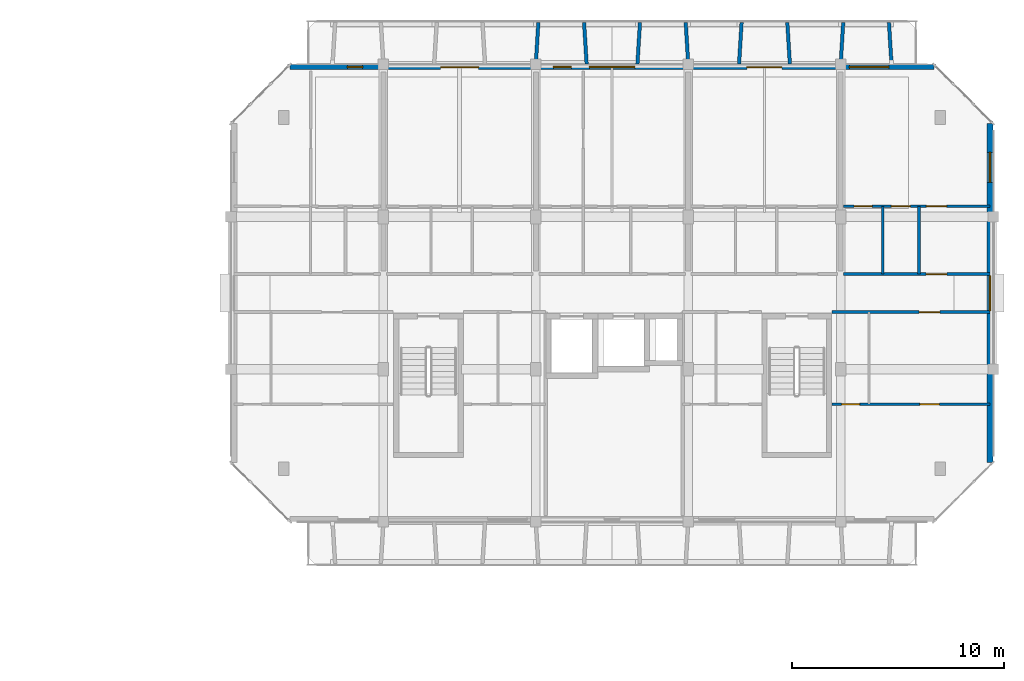
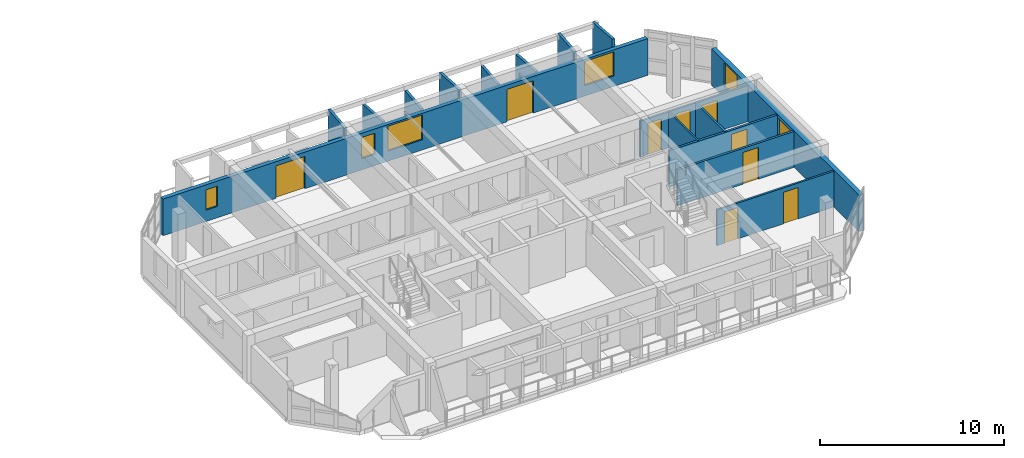
# One storey, part 28 of 44: 16 walls, 9 doors, 6 windows, 15 openings.
"""IFC4 building model written with IfcOpenShell, lengths in metres."""

from ifc_helpers import new_model, si_unit, direction, frame, frame_2d, origin, place, context, subcontext, project, spatial, rectangle, extrude, material, layer, layer_set, type_object, element, fill, save


model = new_model("IFC4")

# Units and contexts
model_context = context("Model", 3, precision=1e-05, world=origin(), true_north=direction((0.0, 1.0)))
body_context = subcontext(model_context, "Body", "Model", "MODEL_VIEW")
ifc_project = project(units=[si_unit("LENGTHUNIT", "METRE"), si_unit("AREAUNIT", "SQUARE_METRE"), si_unit("VOLUMEUNIT", "CUBIC_METRE"), si_unit("PLANEANGLEUNIT", "RADIAN"), si_unit("MASSUNIT", "GRAM", prefix="KILO")], contexts=[model_context])

# Site, building, storey
site_placement = place(None, origin())
site = spatial("IfcSite", under=ifc_project, at=site_placement, CompositionType="ELEMENT")
building_placement = place(site_placement, origin())
building = spatial("IfcBuilding", under=site, at=building_placement, Name="Ochrevale Crest", CompositionType="ELEMENT")
storey_placement = place(building_placement, frame((0.0, 0.0, 21.300048828125)))
storey = spatial("IfcBuildingStorey", under=building, at=storey_placement, Name="L06", CompositionType="ELEMENT", Elevation=21.300048828125)

# Wall, opening, door
ifc_material_1 = material(Name="Gypsum plasterboard", Category="gypsum")
ifc_layer_1 = layer(ifc_material_1, 0.139892578125)
ifc_layer_set_1 = layer_set([ifc_layer_1], Name="Gypsum plasterboard")
wall_type_1 = type_object("IfcWallType", Name="WL-COR-140", PredefinedType="PARTITIONING", material=ifc_layer_set_1)
wall_1_placement = place(storey_placement, frame((158.5400390625, 83.699951171875, 0.0), z_axis=(0.0, 0.0, 1.0), x_axis=(1.0, 0.0, 0.0)))
wall_1 = element("IfcWall", 1, at=wall_1_placement, inside=storey, type_object=wall_type_1, Name="Apartment D-L06-U5 corridor wall", PredefinedType="PARTITIONING", context=body_context, shape_type="SweptSolid", body=[
    extrude(rectangle(XDim=6.919921875, YDim=0.139892578125, at=frame_2d((3.4599609375, 0.0))), origin(), (0.0, 0.0, 1.0), 2.3798828125),
])
opening_1_placement = place(wall_1_placement, frame((4.875, 0.0, 0.0), z_axis=(0.0, 0.0, 1.0), x_axis=(-1.0, 0.0, 0.0)))
opening_1 = element("IfcOpeningElement", 2, at=opening_1_placement, cuts=wall_1, Name="Opening FD01", PredefinedType="OPENING", context=body_context, shape_type="SweptSolid", body=[
    extrude(rectangle(XDim=0.97998046875, YDim=2.10009765625, at=frame_2d((0.489990234375, 1.050048828125))), frame((0.0, 0.080078125, 0.0), z_axis=(0.0, -1.0, 0.0), x_axis=(1.0, 0.0, 0.0)), (0.0, 0.0, 1.0), 0.159912109375),
])
ifc_material_2 = material(Name="Solid-core FSC hardwood", Category="wood")
door_type_1 = type_object("IfcDoorType", Name="DR-APT-950", OperationType="NOTDEFINED", PredefinedType="DOOR", material=ifc_material_2)
door_1_placement = place(opening_1_placement, origin())
door_1 = element("IfcDoor", 3, at=door_1_placement, inside=storey, type_object=door_type_1, Name="Apartment D-L06-U5 entrance door", OperationType="SINGLE_SWING_RIGHT", OverallHeight=2.10009765625, OverallWidth=0.97998046875, PredefinedType="DOOR", context=body_context, shape_type="SweptSolid", body=[
    extrude(rectangle(XDim=0.97998046875, YDim=2.10009765625, at=frame_2d((0.489990234375, 1.050048828125))), frame((0.0, 0.02490234375, 0.0), z_axis=(0.0, -1.0, 0.0), x_axis=(1.0, 0.0, 0.0)), (0.0, 0.0, 1.0), 0.050048828125),
])
fill(opening_1, door_1)

wall_2_placement = place(storey_placement, frame((157.989990234375, 81.89990234375, 0.0), z_axis=(0.0, 0.0, 1.0), x_axis=(1.0, 0.0, 0.0)))
wall_2 = element("IfcWall", 4, at=wall_2_placement, inside=storey, type_object=wall_type_1, Name="Suite D-L06-CE corridor wall", PredefinedType="PARTITIONING", context=body_context, shape_type="SweptSolid", body=[
    extrude(rectangle(XDim=7.469970703125, YDim=0.139892578125, at=frame_2d((3.73486328125, 0.0))), origin(), (0.0, 0.0, 1.0), 2.3798828125),
])
opening_2_placement = place(wall_2_placement, frame((4.1201171875, 0.0, 0.0)))
opening_2 = element("IfcOpeningElement", 5, at=opening_2_placement, cuts=wall_2, Name="Opening FD01", PredefinedType="OPENING", context=body_context, shape_type="SweptSolid", body=[
    extrude(rectangle(XDim=0.97998046875, YDim=2.10009765625, at=frame_2d((0.489990234375, 1.050048828125))), frame((0.0, 0.080078125, 0.0), z_axis=(0.0, -1.0, 0.0), x_axis=(1.0, 0.0, 0.0)), (0.0, 0.0, 1.0), 0.159912109375),
])
door_2_placement = place(opening_2_placement, origin())
door_2 = element("IfcDoor", 6, at=door_2_placement, inside=storey, type_object=door_type_1, Name="Suite D-L06-CE entrance door", OperationType="SINGLE_SWING_LEFT", OverallHeight=2.10009765625, OverallWidth=0.97998046875, PredefinedType="DOOR", context=body_context, shape_type="SweptSolid", body=[
    extrude(rectangle(XDim=0.97998046875, YDim=2.10009765625, at=frame_2d((0.489990234375, 1.050048828125))), frame((0.0, 0.02490234375, 0.0), z_axis=(0.0, -1.0, 0.0), x_axis=(1.0, 0.0, 0.0)), (0.0, 0.0, 1.0), 0.050048828125),
])
fill(opening_2, door_2)

# Wall, openings, windows
ifc_material_3 = material(Name="Clay face brickwork", Category="masonry")
ifc_layer_2 = layer(ifc_material_3, 0.2900390625)
ifc_layer_set_2 = layer_set([ifc_layer_2], Name="Clay face brickwork")
wall_type_2 = type_object("IfcWallType", Name="WL-EXT-BRICK-290", PredefinedType="SOLIDWALL", material=ifc_layer_set_2)
wall_3_placement = place(storey_placement, frame((165.455078125, 74.800048828125, 0.0), z_axis=(0.0, 0.0, 1.0), x_axis=(0.0, 1.0, 0.0)))
wall_3 = element("IfcWall", 7, at=wall_3_placement, inside=storey, type_object=wall_type_2, Name="Block D L06 external facade wall E3", PredefinedType="SOLIDWALL", context=body_context, shape_type="SweptSolid", body=[
    extrude(rectangle(XDim=16.0, YDim=0.2900390625, at=frame_2d((8.0, 0.0))), origin(), (0.0, 0.0, 1.0), 2.429931640625),
])
opening_3_placement = place(wall_3_placement, frame((7.175048828125, 0.0, 1.050048828125)))
opening_3 = element("IfcOpeningElement", 8, at=opening_3_placement, cuts=wall_3, Name="Opening W19", PredefinedType="OPENING", context=body_context, shape_type="SweptSolid", body=[
    extrude(rectangle(XDim=1.64990234375, YDim=1.14990234375, at=frame_2d((0.824951171875, 0.574951171875))), frame((0.0, 0.155029296875, 0.0), z_axis=(0.0, -1.0, 0.0), x_axis=(1.0, 0.0, 0.0)), (0.0, 0.0, 1.0), 0.31005859375),
])
opening_4_placement = place(wall_3_placement, frame((13.22509765625, 0.0, 0.719970703125)))
opening_4 = element("IfcOpeningElement", 9, at=opening_4_placement, cuts=wall_3, Name="Opening W31", PredefinedType="OPENING", context=body_context, shape_type="SweptSolid", body=[
    extrude(rectangle(XDim=1.419921875, YDim=1.60009765625, at=frame_2d((0.7099609375, 0.800048828125))), frame((0.0, 0.155029296875, 0.0), z_axis=(0.0, -1.0, 0.0), x_axis=(1.0, 0.0, 0.0)), (0.0, 0.0, 1.0), 0.31005859375),
])
ifc_material_4 = material(Name="Anodised aluminium 6063-T5 and low-E double glazing", Category="aluminium")
window_type_1 = type_object("IfcWindowType", Name="WIN-W19", PartitioningType="SINGLE_PANEL", PredefinedType="WINDOW", material=ifc_material_4)
window_1_placement = place(opening_3_placement, origin())
window_1 = element("IfcWindow", 10, at=window_1_placement, inside=storey, type_object=window_type_1, Name="Block D L06 corridor end daylight window E", OverallHeight=1.14990234375, OverallWidth=1.64990234375, PartitioningType="SINGLE_PANEL", PredefinedType="WINDOW", context=body_context, shape_type="SweptSolid", body=[
    extrude(rectangle(XDim=1.64990234375, YDim=1.14990234375, at=frame_2d((0.824951171875, 0.574951171875))), frame((0.0, 0.030029296875, 0.0), z_axis=(0.0, -1.0, 0.0), x_axis=(1.0, 0.0, 0.0)), (0.0, 0.0, 1.0), 0.06005859375),
])
fill(opening_3, window_1)
window_type_2 = type_object("IfcWindowType", Name="WIN-W31", PartitioningType="SINGLE_PANEL", PredefinedType="WINDOW", material=ifc_material_4)
window_2_placement = place(opening_4_placement, origin())
window_2 = element("IfcWindow", 11, at=window_2_placement, inside=storey, type_object=window_type_2, Name="Block D L06 side suite window E", OverallHeight=1.60009765625, OverallWidth=1.419921875, PartitioningType="SINGLE_PANEL", PredefinedType="WINDOW", context=body_context, shape_type="SweptSolid", body=[
    extrude(rectangle(XDim=1.419921875, YDim=1.60009765625, at=frame_2d((0.7099609375, 0.800048828125))), frame((0.0, 0.030029296875, 0.0), z_axis=(0.0, -1.0, 0.0), x_axis=(1.0, 0.0, 0.0)), (0.0, 0.0, 1.0), 0.06005859375),
])
fill(opening_4, window_2)

# Wall, openings, doors, windows
ifc_material_5 = material(Name="Precast concrete C40/50", Category="concrete")
ifc_layer_3 = layer(ifc_material_5, 0.25)
ifc_layer_set_3 = layer_set([ifc_layer_3], Name="Precast concrete C40/50")
wall_type_3 = type_object("IfcWallType", Name="WL-EXT-GOLD-250", PredefinedType="SOLIDWALL", material=ifc_layer_set_3)
wall_4_placement = place(storey_placement, frame((162.800048828125, 93.47509765625, 0.0), z_axis=(0.0, 0.0, 1.0), x_axis=(-1.0, 0.0, 0.0)))
wall_4 = element("IfcWall", 12, at=wall_4_placement, inside=storey, type_object=wall_type_3, Name="Block D L06 external facade wall E5", PredefinedType="SOLIDWALL", context=body_context, shape_type="SweptSolid", body=[
    extrude(rectangle(XDim=30.400146484375, YDim=0.25, at=frame_2d((15.2001953125, 0.0))), origin(), (0.0, 0.0, 1.0), 2.429931640625),
])
opening_5_placement = place(wall_4_placement, frame((23.300048828125, 0.0, 0.0), z_axis=(0.0, 0.0, 1.0), x_axis=(-1.0, 0.0, 0.0)))
opening_5 = element("IfcOpeningElement", 13, at=opening_5_placement, cuts=wall_4, Name="Opening BD03", PredefinedType="OPENING", context=body_context, shape_type="SweptSolid", body=[
    extrude(rectangle(XDim=1.800048828125, YDim=2.14990234375, at=frame_2d((0.89990234375, 1.074951171875))), frame((0.0, 0.135009765625, 0.0), z_axis=(0.0, -1.0, 0.0), x_axis=(1.0, 0.0, 0.0)), (0.0, 0.0, 1.0), 0.27001953125),
])
opening_6_placement = place(wall_4_placement, frame((8.824951171875, 0.0, 0.0), z_axis=(0.0, 0.0, 1.0), x_axis=(-1.0, 0.0, 0.0)))
opening_6 = element("IfcOpeningElement", 14, at=opening_6_placement, cuts=wall_4, Name="Opening BD02", PredefinedType="OPENING", context=body_context, shape_type="SweptSolid", body=[
    extrude(rectangle(XDim=1.64990234375, YDim=2.14990234375, at=frame_2d((0.824951171875, 1.074951171875))), frame((0.0, 0.135009765625, 0.0), z_axis=(0.0, -1.0, 0.0), x_axis=(1.0, 0.0, 0.0)), (0.0, 0.0, 1.0), 0.27001953125),
])
opening_7_placement = place(wall_4_placement, frame((26.985107421875, 0.0, 0.75)))
opening_7 = element("IfcOpeningElement", 15, at=opening_7_placement, cuts=wall_4, Name="Opening W02", PredefinedType="OPENING", context=body_context, shape_type="SweptSolid", body=[
    extrude(rectangle(XDim=0.719970703125, YDim=1.35009765625, at=frame_2d((0.35986328125, 0.675048828125))), frame((0.0, 0.135009765625, 0.0), z_axis=(0.0, -1.0, 0.0), x_axis=(1.0, 0.0, 0.0)), (0.0, 0.0, 1.0), 0.27001953125),
])
opening_8_placement = place(wall_4_placement, frame((17.114990234375, 0.0, 0.75)))
opening_8 = element("IfcOpeningElement", 16, at=opening_8_placement, cuts=wall_4, Name="Opening W03", PredefinedType="OPENING", context=body_context, shape_type="SweptSolid", body=[
    extrude(rectangle(XDim=0.85009765625, YDim=1.39990234375, at=frame_2d((0.425048828125, 0.699951171875))), frame((0.0, 0.135009765625, 0.0), z_axis=(0.0, -1.0, 0.0), x_axis=(1.0, 0.0, 0.0)), (0.0, 0.0, 1.0), 0.27001953125),
])
opening_9_placement = place(wall_4_placement, frame((14.125, 0.0, 0.669921875)))
opening_9 = element("IfcOpeningElement", 17, at=opening_9_placement, cuts=wall_4, Name="Opening W13", PredefinedType="OPENING", context=body_context, shape_type="SweptSolid", body=[
    extrude(rectangle(XDim=2.14990234375, YDim=1.64990234375, at=frame_2d((1.074951171875, 0.824951171875))), frame((0.0, 0.135009765625, 0.0), z_axis=(0.0, -1.0, 0.0), x_axis=(1.0, 0.0, 0.0)), (0.0, 0.0, 1.0), 0.27001953125),
])
opening_10_placement = place(wall_4_placement, frame((2.125, 0.0, 0.699951171875)))
opening_10 = element("IfcOpeningElement", 18, at=opening_10_placement, cuts=wall_4, Name="Opening W11", PredefinedType="OPENING", context=body_context, shape_type="SweptSolid", body=[
    extrude(rectangle(XDim=1.860107421875, YDim=1.60009765625, at=frame_2d((0.93017578125, 0.800048828125))), frame((0.0, 0.135009765625, 0.0), z_axis=(0.0, -1.0, 0.0), x_axis=(1.0, 0.0, 0.0)), (0.0, 0.0, 1.0), 0.27001953125),
])
ifc_material_6 = material(Name="Anodised aluminium 6063-T5 and toughened glass", Category="aluminium")
door_type_2 = type_object("IfcDoorType", Name="DR-BAL-1650", OperationType="NOTDEFINED", PredefinedType="DOOR", material=ifc_material_6)
door_3_placement = place(opening_6_placement, origin())
door_3 = element("IfcDoor", 19, at=door_3_placement, inside=storey, type_object=door_type_2, Name="Block D L06 balcony door N4", OperationType="SINGLE_SWING_RIGHT", OverallHeight=2.14990234375, OverallWidth=1.64990234375, PredefinedType="DOOR", context=body_context, shape_type="SweptSolid", body=[
    extrude(rectangle(XDim=1.64990234375, YDim=2.14990234375, at=frame_2d((0.824951171875, 1.074951171875))), frame((0.0, 0.02490234375, 0.0), z_axis=(0.0, -1.0, 0.0), x_axis=(1.0, 0.0, 0.0)), (0.0, 0.0, 1.0), 0.050048828125),
])
fill(opening_6, door_3)
door_type_3 = type_object("IfcDoorType", Name="DR-BAL-1800", OperationType="NOTDEFINED", PredefinedType="DOOR", material=ifc_material_6)
door_4_placement = place(opening_5_placement, origin())
door_4 = element("IfcDoor", 20, at=door_4_placement, inside=storey, type_object=door_type_3, Name="Block D L06 balcony door N2", OperationType="SINGLE_SWING_LEFT", OverallHeight=2.14990234375, OverallWidth=1.800048828125, PredefinedType="DOOR", context=body_context, shape_type="SweptSolid", body=[
    extrude(rectangle(XDim=1.800048828125, YDim=2.14990234375, at=frame_2d((0.89990234375, 1.074951171875))), frame((0.0, 0.02490234375, 0.0), z_axis=(0.0, -1.0, 0.0), x_axis=(1.0, 0.0, 0.0)), (0.0, 0.0, 1.0), 0.050048828125),
])
fill(opening_5, door_4)
window_type_3 = type_object("IfcWindowType", Name="WIN-W02", PartitioningType="SINGLE_PANEL", PredefinedType="WINDOW", material=ifc_material_4)
window_3_placement = place(opening_7_placement, origin())
window_3 = element("IfcWindow", 21, at=window_3_placement, inside=storey, type_object=window_type_3, Name="Block D L06 Apartment D-L06-U1 Three Bedroom Family Living window", OverallHeight=1.35009765625, OverallWidth=0.719970703125, PartitioningType="SINGLE_PANEL", PredefinedType="WINDOW", context=body_context, shape_type="SweptSolid", body=[
    extrude(rectangle(XDim=0.719970703125, YDim=1.35009765625, at=frame_2d((0.35986328125, 0.675048828125))), frame((0.0, 0.030029296875, 0.0), z_axis=(0.0, -1.0, 0.0), x_axis=(1.0, 0.0, 0.0)), (0.0, 0.0, 1.0), 0.06005859375),
])
fill(opening_7, window_3)
window_type_4 = type_object("IfcWindowType", Name="WIN-W03", PartitioningType="SINGLE_PANEL", PredefinedType="WINDOW", material=ifc_material_4)
window_4_placement = place(opening_8_placement, origin())
window_4 = element("IfcWindow", 22, at=window_4_placement, inside=storey, type_object=window_type_4, Name="Block D L06 Apartment D-L06-U3 Master Bedroom window", OverallHeight=1.39990234375, OverallWidth=0.85009765625, PartitioningType="SINGLE_PANEL", PredefinedType="WINDOW", context=body_context, shape_type="SweptSolid", body=[
    extrude(rectangle(XDim=0.85009765625, YDim=1.39990234375, at=frame_2d((0.425048828125, 0.699951171875))), frame((0.0, 0.030029296875, 0.0), z_axis=(0.0, -1.0, 0.0), x_axis=(1.0, 0.0, 0.0)), (0.0, 0.0, 1.0), 0.06005859375),
])
fill(opening_8, window_4)
window_type_5 = type_object("IfcWindowType", Name="WIN-W11", PartitioningType="SINGLE_PANEL", PredefinedType="WINDOW", material=ifc_material_4)
window_5_placement = place(opening_10_placement, origin())
window_5 = element("IfcWindow", 23, at=window_5_placement, inside=storey, type_object=window_type_5, Name="Block D L06 Studio D-L06-U5 Living Room window", OverallHeight=1.60009765625, OverallWidth=1.860107421875, PartitioningType="SINGLE_PANEL", PredefinedType="WINDOW", context=body_context, shape_type="SweptSolid", body=[
    extrude(rectangle(XDim=1.860107421875, YDim=1.60009765625, at=frame_2d((0.93017578125, 0.800048828125))), frame((0.0, 0.030029296875, 0.0), z_axis=(0.0, -1.0, 0.0), x_axis=(1.0, 0.0, 0.0)), (0.0, 0.0, 1.0), 0.06005859375),
])
fill(opening_10, window_5)
window_type_6 = type_object("IfcWindowType", Name="WIN-W13", PartitioningType="SINGLE_PANEL", PredefinedType="WINDOW", material=ifc_material_4)
window_6_placement = place(opening_9_placement, origin())
window_6 = element("IfcWindow", 24, at=window_6_placement, inside=storey, type_object=window_type_6, Name="Block D L06 Apartment D-L06-U3 One Bedroom Living Room window", OverallHeight=1.64990234375, OverallWidth=2.14990234375, PartitioningType="SINGLE_PANEL", PredefinedType="WINDOW", context=body_context, shape_type="SweptSolid", body=[
    extrude(rectangle(XDim=2.14990234375, YDim=1.64990234375, at=frame_2d((1.074951171875, 0.824951171875))), frame((0.0, 0.030029296875, 0.0), z_axis=(0.0, -1.0, 0.0), x_axis=(1.0, 0.0, 0.0)), (0.0, 0.0, 1.0), 0.06005859375),
])
fill(opening_9, window_6)

# Walls
ifc_layer_4 = layer(ifc_material_5, 0.1650390625)
ifc_layer_set_4 = layer_set([ifc_layer_4], Name="Precast concrete C40/50")
wall_type_4 = type_object("IfcWallType", Name="WL-HC-CHEEK-165", PredefinedType="ELEMENTEDWALL", material=ifc_layer_set_4)
wall_5_placement = place(storey_placement, frame((144.0, 93.6201171875, 0.0), z_axis=(0.0, 0.0, 1.0), x_axis=(0.061170732449, 0.998127317276, 0.0)))
element("IfcWall", 25, at=wall_5_placement, inside=storey, type_object=wall_type_4, Name="Block D L06 N precast honeycomb cheek 5", PredefinedType="ELEMENTEDWALL", context=body_context, shape_type="SweptSolid", body=[
    extrude(rectangle(XDim=1.963623046875, YDim=0.1650390625, at=frame_2d((0.98193359375, 0.0))), origin(), (0.0, 0.0, 1.0), 2.949951171875),
])
for number, where, z_axis, x_axis, name in (
    (26, (146.39990234375, 93.6201171875, 0.0), (0.0, 0.0, 1.0), (-0.061046865508, 0.998134900808, 0.0), "Block D L06 N precast honeycomb cheek 6"),
    (27, (148.800048828125, 93.6201171875, 0.0), (0.0, 0.0, 1.0), (0.061046865508, 0.998134900808, 0.0), "Block D L06 N precast honeycomb cheek 7"),
):
    element("IfcWall", number, at=place(storey_placement, frame(where, z_axis=z_axis, x_axis=x_axis)), inside=storey, type_object=wall_type_4, Name=name, PredefinedType="ELEMENTEDWALL", context=body_context, shape_type="SweptSolid", body=[
        extrude(rectangle(XDim=1.963623046875, YDim=0.1650390625, at=frame_2d((0.98193359375, 0.0))), origin(), (0.0, 0.0, 1.0), 2.530029296875),
    ])
wall_6_placement = place(storey_placement, frame((151.199951171875, 93.6201171875, 0.0), z_axis=(0.0, 0.0, 1.0), x_axis=(-0.061046865508, 0.998134900808, 0.0)))
element("IfcWall", 28, at=wall_6_placement, inside=storey, type_object=wall_type_4, Name="Block D L06 N precast honeycomb cheek 8", PredefinedType="ELEMENTEDWALL", context=body_context, shape_type="SweptSolid", body=[
    extrude(rectangle(XDim=1.963623046875, YDim=0.1650390625, at=frame_2d((0.98193359375, 0.0))), origin(), (0.0, 0.0, 1.0), 2.949951171875),
])
for number, where, z_axis, x_axis, name in (
    (29, (153.60009765625, 93.6201171875, 0.0), (0.0, 0.0, 1.0), (0.061046865508, 0.998134900808, 0.0), "Block D L06 N precast honeycomb cheek 9"),
    (30, (156.0, 93.6201171875, 0.0), (0.0, 0.0, 1.0), (-0.061170732449, 0.998127317276, 0.0), "Block D L06 N precast honeycomb cheek 10"),
):
    element("IfcWall", number, at=place(storey_placement, frame(where, z_axis=z_axis, x_axis=x_axis)), inside=storey, type_object=wall_type_4, Name=name, PredefinedType="ELEMENTEDWALL", context=body_context, shape_type="SweptSolid", body=[
        extrude(rectangle(XDim=1.963623046875, YDim=0.1650390625, at=frame_2d((0.98193359375, 0.0))), origin(), (0.0, 0.0, 1.0), 2.47998046875),
    ])
for number, where, z_axis, x_axis, name in (
    (31, (158.39990234375, 93.6201171875, 0.0), (0.0, 0.0, 1.0), (0.061170732449, 0.998127317276, 0.0), "Block D L06 N precast honeycomb cheek 11"),
    (32, (160.800048828125, 93.6201171875, 0.0), (0.0, 0.0, 1.0), (-0.061170732449, 0.998127317276, 0.0), "Block D L06 N precast honeycomb cheek 12"),
):
    element("IfcWall", number, at=place(storey_placement, frame(where, z_axis=z_axis, x_axis=x_axis)), inside=storey, type_object=wall_type_4, Name=name, PredefinedType="ELEMENTEDWALL", context=body_context, shape_type="SweptSolid", body=[
        extrude(rectangle(XDim=1.963623046875, YDim=0.1650390625, at=frame_2d((0.98193359375, 0.0))), origin(), (0.0, 0.0, 1.0), 2.949951171875),
    ])
ifc_layer_5 = layer(ifc_material_1, 0.1201171875)
ifc_layer_set_5 = layer_set([ifc_layer_5], Name="Gypsum plasterboard")
wall_type_5 = type_object("IfcWallType", Name="WL-PART-120", PredefinedType="PARTITIONING", material=ifc_layer_set_5)
wall_7_placement = place(storey_placement, frame((162.10009765625, 83.699951171875, 0.0), z_axis=(0.0, 0.0, 1.0), x_axis=(0.0, 1.0, 0.0)))
element("IfcWall", 33, at=wall_7_placement, inside=storey, type_object=wall_type_5, Name="Apartment D-L06-U5 kitchen-foyer wall", PredefinedType="PARTITIONING", context=body_context, shape_type="SweptSolid", body=[
    extrude(rectangle(XDim=3.199951171875, YDim=0.1201171875, at=frame_2d((1.60009765625, 0.0))), origin(), (0.0, 0.0, 1.0), 2.3798828125),
])

# Wall, openings, doors
wall_8_placement = place(storey_placement, frame((158.5400390625, 86.89990234375, 0.0), z_axis=(0.0, 0.0, 1.0), x_axis=(1.0, 0.0, 0.0)))
wall_8 = element("IfcWall", 34, at=wall_8_placement, inside=storey, type_object=wall_type_5, Name="Apartment D-L06-U5 central partition", PredefinedType="PARTITIONING", context=body_context, shape_type="SweptSolid", body=[
    extrude(rectangle(XDim=6.919921875, YDim=0.1201171875, at=frame_2d((3.4599609375, 0.0))), origin(), (0.0, 0.0, 1.0), 2.3798828125),
])
opening_11_placement = place(wall_8_placement, frame((0.5, 0.0, 0.0)))
opening_11 = element("IfcOpeningElement", 35, at=opening_11_placement, cuts=wall_8, Name="Opening ID01", PredefinedType="OPENING", context=body_context, shape_type="SweptSolid", body=[
    extrude(rectangle(XDim=0.85009765625, YDim=2.080078125, at=frame_2d((0.425048828125, 1.0400390625))), frame((0.0, 0.070068359375, 0.0), z_axis=(0.0, -1.0, 0.0), x_axis=(1.0, 0.0, 0.0)), (0.0, 0.0, 1.0), 0.14013671875),
])
opening_12_placement = place(wall_8_placement, frame((3.15478515625, 0.0, 0.0), z_axis=(0.0, 0.0, 1.0), x_axis=(-1.0, 0.0, 0.0)))
opening_12 = element("IfcOpeningElement", 36, at=opening_12_placement, cuts=wall_8, Name="Opening ID02", PredefinedType="OPENING", context=body_context, shape_type="SweptSolid", body=[
    extrude(rectangle(XDim=0.89990234375, YDim=2.080078125, at=frame_2d((0.449951171875, 1.0400390625))), frame((0.0, 0.070068359375, 0.0), z_axis=(0.0, -1.0, 0.0), x_axis=(1.0, 0.0, 0.0)), (0.0, 0.0, 1.0), 0.14013671875),
])
opening_13_placement = place(wall_8_placement, frame((3.909912109375, 0.0, 0.0)))
opening_13 = element("IfcOpeningElement", 37, at=opening_13_placement, cuts=wall_8, Name="Opening ID06", PredefinedType="OPENING", context=body_context, shape_type="SweptSolid", body=[
    extrude(rectangle(XDim=0.949951171875, YDim=2.080078125, at=frame_2d((0.47509765625, 1.0400390625))), frame((0.0, 0.070068359375, 0.0), z_axis=(0.0, -1.0, 0.0), x_axis=(1.0, 0.0, 0.0)), (0.0, 0.0, 1.0), 0.14013671875),
])
door_type_4 = type_object("IfcDoorType", Name="DR-INT-900", OperationType="NOTDEFINED", PredefinedType="DOOR", material=ifc_material_2)
door_5_placement = place(opening_12_placement, origin())
door_5 = element("IfcDoor", 38, at=door_5_placement, inside=storey, type_object=door_type_4, Name="Apartment D-L06-U5 Kitchen door", OperationType="SINGLE_SWING_RIGHT", OverallHeight=2.080078125, OverallWidth=0.89990234375, PredefinedType="DOOR", context=body_context, shape_type="SweptSolid", body=[
    extrude(rectangle(XDim=0.89990234375, YDim=2.080078125, at=frame_2d((0.449951171875, 1.0400390625))), frame((0.0, 0.02490234375, 0.0), z_axis=(0.0, -1.0, 0.0), x_axis=(1.0, 0.0, 0.0)), (0.0, 0.0, 1.0), 0.050048828125),
])
fill(opening_12, door_5)
door_type_5 = type_object("IfcDoorType", Name="DR-INT-950", OperationType="NOTDEFINED", PredefinedType="DOOR", material=ifc_material_2)
door_6_placement = place(opening_13_placement, origin())
door_6 = element("IfcDoor", 39, at=door_6_placement, inside=storey, type_object=door_type_5, Name="Apartment D-L06-U5 Living Foyer door", OperationType="SINGLE_SWING_LEFT", OverallHeight=2.080078125, OverallWidth=0.949951171875, PredefinedType="DOOR", context=body_context, shape_type="SweptSolid", body=[
    extrude(rectangle(XDim=0.949951171875, YDim=2.080078125, at=frame_2d((0.47509765625, 1.0400390625))), frame((0.0, 0.02490234375, 0.0), z_axis=(0.0, -1.0, 0.0), x_axis=(1.0, 0.0, 0.0)), (0.0, 0.0, 1.0), 0.050048828125),
])
fill(opening_13, door_6)
door_type_6 = type_object("IfcDoorType", Name="DR-WC-850", OperationType="NOTDEFINED", PredefinedType="DOOR", material=ifc_material_2)
door_7_placement = place(opening_11_placement, origin())
door_7 = element("IfcDoor", 40, at=door_7_placement, inside=storey, type_object=door_type_6, Name="Apartment D-L06-U5 Bathroom door", OperationType="SINGLE_SWING_LEFT", OverallHeight=2.080078125, OverallWidth=0.85009765625, PredefinedType="DOOR", context=body_context, shape_type="SweptSolid", body=[
    extrude(rectangle(XDim=0.85009765625, YDim=2.080078125, at=frame_2d((0.425048828125, 1.0400390625))), frame((0.0, 0.02490234375, 0.0), z_axis=(0.0, -1.0, 0.0), x_axis=(1.0, 0.0, 0.0)), (0.0, 0.0, 1.0), 0.050048828125),
])
fill(opening_11, door_7)

wall_9_placement = place(storey_placement, frame((157.989990234375, 77.550048828125, 0.0), z_axis=(0.0, 0.0, 1.0), x_axis=(1.0, 0.0, 0.0)))
wall_9 = element("IfcWall", 41, at=wall_9_placement, inside=storey, type_object=wall_type_5, Name="Suite D-L06-CE internal wall", PredefinedType="PARTITIONING", context=body_context, shape_type="SweptSolid", body=[
    extrude(rectangle(XDim=7.469970703125, YDim=0.1201171875, at=frame_2d((3.73486328125, 0.0))), origin(), (0.0, 0.0, 1.0), 2.3798828125),
])
opening_14_placement = place(wall_9_placement, frame((1.300048828125, 0.0, 0.0), z_axis=(0.0, 0.0, 1.0), x_axis=(-1.0, 0.0, 0.0)))
opening_14 = element("IfcOpeningElement", 42, at=opening_14_placement, cuts=wall_9, Name="Opening ID01", PredefinedType="OPENING", context=body_context, shape_type="SweptSolid", body=[
    extrude(rectangle(XDim=0.85009765625, YDim=2.080078125, at=frame_2d((0.425048828125, 1.0400390625))), frame((0.0, 0.070068359375, 0.0), z_axis=(0.0, -1.0, 0.0), x_axis=(1.0, 0.0, 0.0)), (0.0, 0.0, 1.0), 0.14013671875),
])
opening_15_placement = place(wall_9_placement, frame((4.14990234375, 0.0, 0.0)))
opening_15 = element("IfcOpeningElement", 43, at=opening_15_placement, cuts=wall_9, Name="Opening ID04", PredefinedType="OPENING", context=body_context, shape_type="SweptSolid", body=[
    extrude(rectangle(XDim=0.919921875, YDim=2.080078125, at=frame_2d((0.4599609375, 1.0400390625))), frame((0.0, 0.070068359375, 0.0), z_axis=(0.0, -1.0, 0.0), x_axis=(1.0, 0.0, 0.0)), (0.0, 0.0, 1.0), 0.14013671875),
])
door_type_7 = type_object("IfcDoorType", Name="DR-INT-920", OperationType="NOTDEFINED", PredefinedType="DOOR", material=ifc_material_2)
door_8_placement = place(opening_15_placement, origin())
door_8 = element("IfcDoor", 44, at=door_8_placement, inside=storey, type_object=door_type_7, Name="Suite D-L06-CE Master Bedroom door", OperationType="SINGLE_SWING_LEFT", OverallHeight=2.080078125, OverallWidth=0.919921875, PredefinedType="DOOR", context=body_context, shape_type="SweptSolid", body=[
    extrude(rectangle(XDim=0.919921875, YDim=2.080078125, at=frame_2d((0.4599609375, 1.0400390625))), frame((0.0, 0.02490234375, 0.0), z_axis=(0.0, -1.0, 0.0), x_axis=(1.0, 0.0, 0.0)), (0.0, 0.0, 1.0), 0.050048828125),
])
fill(opening_15, door_8)
door_9_placement = place(opening_14_placement, origin())
door_9 = element("IfcDoor", 45, at=door_9_placement, inside=storey, type_object=door_type_6, Name="Suite D-L06-CE Bathroom door", OperationType="SINGLE_SWING_RIGHT", OverallHeight=2.080078125, OverallWidth=0.85009765625, PredefinedType="DOOR", context=body_context, shape_type="SweptSolid", body=[
    extrude(rectangle(XDim=0.85009765625, YDim=2.080078125, at=frame_2d((0.425048828125, 1.0400390625))), frame((0.0, 0.02490234375, 0.0), z_axis=(0.0, -1.0, 0.0), x_axis=(1.0, 0.0, 0.0)), (0.0, 0.0, 1.0), 0.050048828125),
])
fill(opening_14, door_9)

# Wall
ifc_layer_6 = layer(ifc_material_1, 0.10009765625)
ifc_layer_set_6 = layer_set([ifc_layer_6], Name="Gypsum plasterboard")
wall_type_6 = type_object("IfcWallType", Name="WL-WET-100", PredefinedType="PARTITIONING", material=ifc_layer_set_6)
wall_10_placement = place(storey_placement, frame((160.389892578125, 83.699951171875, 0.0), z_axis=(0.0, 0.0, 1.0), x_axis=(0.0, 1.0, 0.0)))
element("IfcWall", 46, at=wall_10_placement, inside=storey, type_object=wall_type_6, Name="Apartment D-L06-U5 bath-kitchen wall", PredefinedType="PARTITIONING", context=body_context, shape_type="SweptSolid", body=[
    extrude(rectangle(XDim=3.199951171875, YDim=0.10009765625, at=frame_2d((1.60009765625, 0.0))), origin(), (0.0, 0.0, 1.0), 2.3798828125),
])

save(model, "model.ifc")
